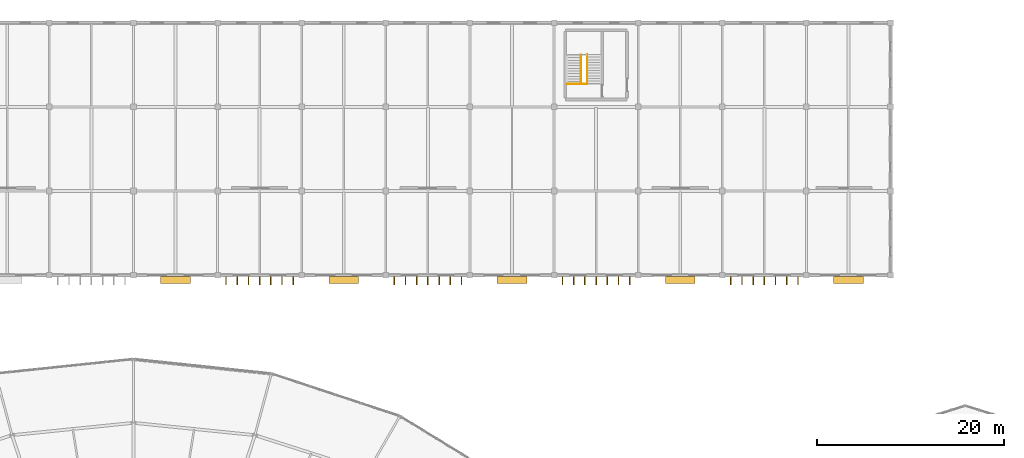
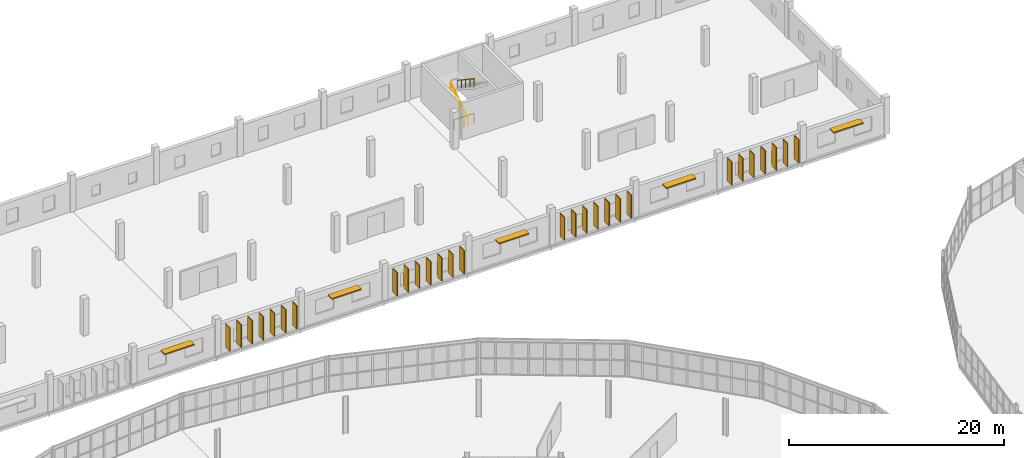
# One storey, part 160 of 161: 33 shading devices, 3 railings.
"""IFC4 building model written with IfcOpenShell, lengths in metres."""

import ifcopenshell
import ifcopenshell.guid

model = None  # the IFC model being written
_history = None  # IfcOwnerHistory: only IFC2X3 demands one
_inside = {}  # id of a spatial element -> (the spatial element, [elements in it])
_under = {}  # id of a project, library or spatial element -> (it, [spatial elements below it])
_declared = {}  # id of a project -> (the project, [libraries it declares])
_typed = {}  # id of a type object -> (the type object, [elements of that type])
_made_of = {}  # id of a material, layer set ... -> (it, [elements and type objects made of it])


def new_model(schema):
    """Start an empty IFC model of exactly this schema.

    Asked for "IFC4X3", IfcOpenShell would pick the latest addendum, in which some entities
    have other attributes; the version numbers below select the first issue.
    IFC2X3 requires an IfcOwnerHistory on every rooted entity: one is made here for all.
    """
    global model, _history
    if schema == "IFC4X3":
        model = ifcopenshell.file(schema_version=(4, 3, 0, 0))
    else:
        model = ifcopenshell.file(schema=schema)
    _inside.clear()
    _under.clear()
    _declared.clear()
    _typed.clear()
    _made_of.clear()
    _history = None
    if model.schema == "IFC2X3":
        org = make("IfcOrganization", Name="unknown")
        user = make(
            "IfcPersonAndOrganization",
            ThePerson=make("IfcPerson", FamilyName="unknown"),
            TheOrganization=org,
        )
        app = make(
            "IfcApplication",
            ApplicationDeveloper=org,
            Version="unknown",
            ApplicationFullName="unknown",
            ApplicationIdentifier="unknown",
        )
        _history = make(
            "IfcOwnerHistory",
            OwningUser=user,
            OwningApplication=app,
            ChangeAction="ADDED",
            CreationDate=0,
        )
    return model


def make(cls, **values):
    """One entity of the class cls with the attributes given. An attribute that is None is left unset."""
    return model.create_entity(
        cls, **{name: value for name, value in values.items() if value is not None}
    )


def rooted(cls, **values):
    """An entity with a GlobalId (a new one), such as an element, a storey or a relation."""
    return make(cls, GlobalId=ifcopenshell.guid.new(), OwnerHistory=_history, **values)


def si_unit(unit_type, name, prefix=None):
    """IfcSIUnit, for example si_unit("LENGTHUNIT", "METRE", prefix="MILLI")."""
    return make("IfcSIUnit", UnitType=unit_type, Prefix=prefix, Name=name)


def assignment(units):
    """IfcUnitAssignment: the units of a project."""
    return None if units is None else make("IfcUnitAssignment", Units=units)


def point(xyz):
    """IfcCartesianPoint."""
    return None if xyz is None else make("IfcCartesianPoint", Coordinates=xyz)


def direction(xyz):
    """IfcDirection."""
    return None if xyz is None else make("IfcDirection", DirectionRatios=xyz)


def frame(location, z_axis=None, x_axis=None):
    """IfcAxis2Placement3D, a coordinate frame: its origin and axes. An axis left out is left unset."""
    return make(
        "IfcAxis2Placement3D",
        Location=point(location),
        Axis=direction(z_axis),
        RefDirection=direction(x_axis),
    )


def frame_2d(location, x_axis=None):
    """IfcAxis2Placement2D, a coordinate frame in the plane: its origin and x axis."""
    return make(
        "IfcAxis2Placement2D", Location=point(location), RefDirection=direction(x_axis)
    )


def origin():
    """The frame at (0, 0, 0) with its axes left unset."""
    return frame((0.0, 0.0, 0.0))


def origin_2d():
    """The frame at (0, 0) in the plane with its x axis left unset."""
    return frame_2d((0.0, 0.0))


def place(relative_to, where):
    """IfcLocalPlacement: puts the frame where relative to a parent placement (None: the world)."""
    return make(
        "IfcLocalPlacement", PlacementRelTo=relative_to, RelativePlacement=where
    )


def context(
    kind, dimensions, precision=None, world=None, true_north=None, identifier=None
):
    """IfcGeometricRepresentationContext, for example the 3D "Model" context."""
    return make(
        "IfcGeometricRepresentationContext",
        ContextIdentifier=identifier,
        ContextType=kind,
        CoordinateSpaceDimension=dimensions,
        Precision=precision,
        WorldCoordinateSystem=world,
        TrueNorth=true_north,
    )


def subcontext(parent, identifier, kind, view, scale=None):
    """IfcGeometricRepresentationSubContext, for example "Body" below "Model"."""
    return make(
        "IfcGeometricRepresentationSubContext",
        ContextIdentifier=identifier,
        ContextType=kind,
        ParentContext=parent,
        TargetScale=scale,
        TargetView=view,
    )


def project(units=None, contexts=None):
    """IfcProject with its units and contexts."""
    return rooted(
        "IfcProject",
        Name="project",
        RepresentationContexts=contexts,
        UnitsInContext=assignment(units),
    )


def spatial(cls, under=None, at=None, **own):
    """A site, building, storey or space (cls), placed at a placement, below another one or the project."""
    s = rooted(cls, ObjectPlacement=at, **own)
    if under is not None:
        _under.setdefault(under.id(), (under, []))[1].append(s)
    return s


def profile(cls, at=None, kind="AREA", **sizes):
    """A parametric profile (cls). Its sizes go by their IFC names, for example OverallWidth=200.0."""
    return make(cls, ProfileType=kind, Position=at, **sizes)


def rectangle(**sizes):
    """IfcRectangleProfileDef."""
    return profile("IfcRectangleProfileDef", **sizes)


def circle(**sizes):
    """IfcCircleProfileDef."""
    return profile("IfcCircleProfileDef", **sizes)


def extrude(swept, where, along, depth):
    """IfcExtrudedAreaSolid: the profile swept, set in the frame where, extruded along a direction by depth."""
    return make(
        "IfcExtrudedAreaSolid",
        SweptArea=swept,
        Position=where,
        ExtrudedDirection=direction(along),
        Depth=depth,
    )


def shape(context_of_items, identifier, shape_type, items):
    """IfcShapeRepresentation: the items that make up one representation, for example the "Body"."""
    return make(
        "IfcShapeRepresentation",
        ContextOfItems=context_of_items,
        RepresentationIdentifier=identifier,
        RepresentationType=shape_type,
        Items=items,
    )


def material(Name=None, Category=None):
    """IfcMaterial."""
    return make("IfcMaterial", Name=Name, Category=Category)


def layer(
    of_material, thickness, ventilated=None, Name=None, Category=None, Priority=None
):
    """IfcMaterialLayer: one layer of a wall or slab, of a material (None: an air gap)."""
    return make(
        "IfcMaterialLayer",
        Material=of_material,
        LayerThickness=thickness,
        IsVentilated=ventilated,
        Name=Name,
        Category=Category,
        Priority=Priority,
    )


def layer_set(layers, Name=None):
    """IfcMaterialLayerSet."""
    return make("IfcMaterialLayerSet", MaterialLayers=layers, LayerSetName=Name)


def made_of(thing, what):
    """Note that an element or type object is made of a material, layer set ...; save() writes the relation."""
    if what is not None:
        _made_of.setdefault(what.id(), (what, []))[1].append(thing)
    return thing


def type_object(cls, material=None, **own):
    """A type object (cls), such as IfcWallType, which elements share."""
    return made_of(rooted(cls, **own), material)


def element(
    cls,
    number,
    at=None,
    inside=None,
    cuts=None,
    type_object=None,
    material=None,
    context=None,
    identifier="Body",
    shape_type=None,
    held_by="IfcProductDefinitionShape",
    body=None,
    shapes=None,
    **own,
):
    """One element of the class cls, such as IfcWall. Its Tag is "e" and its number.

    at: its placement. inside: the storey or other place that contains it. cuts: it is an
    opening in that element (IfcRelVoidsElement). A single representation is given by context,
    identifier, shape_type and body (its items); several are given by shapes. held_by: the class
    of the entity that holds the representations. save() writes the other relations.
    """
    e = rooted(cls, Tag="e%d" % number, ObjectPlacement=at, **own)
    if body is not None:
        shapes = [shape(context, identifier, shape_type, body)]
    if shapes is not None:
        e.Representation = make(held_by, Representations=shapes)
    if inside is not None:
        _inside.setdefault(inside.id(), (inside, []))[1].append(e)
    if cuts is not None:
        rooted(
            "IfcRelVoidsElement", RelatingBuildingElement=cuts, RelatedOpeningElement=e
        )
    if type_object is not None:
        _typed.setdefault(type_object.id(), (type_object, []))[1].append(e)
    return made_of(e, material)


def aggregate(whole, parts):
    """IfcRelAggregates: a whole, such as a stair, and the parts it consists of."""
    return rooted("IfcRelAggregates", RelatingObject=whole, RelatedObjects=parts)


def save(model, path):
    """Write the relations noted so far, then the file.

    IfcRelAggregates (storeys below a building ...), IfcRelContainedInSpatialStructure (elements
    in a storey), IfcRelDefinesByType, IfcRelAssociatesMaterial and IfcRelDeclares: one each for
    every whole, place, type object, material and project.
    """
    for whole, parts in _under.values():
        aggregate(whole, parts)
    for where, things in _inside.values():
        rooted(
            "IfcRelContainedInSpatialStructure",
            RelatedElements=things,
            RelatingStructure=where,
        )
    for kind, things in _typed.values():
        rooted("IfcRelDefinesByType", RelatedObjects=things, RelatingType=kind)
    for what, things in _made_of.values():
        rooted("IfcRelAssociatesMaterial", RelatedObjects=things, RelatingMaterial=what)
    for by, libraries in _declared.values():
        rooted("IfcRelDeclares", RelatingContext=by, RelatedDefinitions=libraries)
    model.write(path)


model = new_model("IFC4")

# Units and contexts
model_context = context("Model", 3, precision=1e-05, world=origin(), true_north=direction((0.0, 1.0)))
body_context = subcontext(model_context, "Body", "Model", "MODEL_VIEW")
ifc_project = project(units=[si_unit("LENGTHUNIT", "METRE"), si_unit("AREAUNIT", "SQUARE_METRE"), si_unit("VOLUMEUNIT", "CUBIC_METRE"), si_unit("PLANEANGLEUNIT", "RADIAN"), si_unit("MASSUNIT", "GRAM", prefix="KILO")], contexts=[model_context])

# Site, building, storey
site_placement = place(None, origin())
site = spatial("IfcSite", under=ifc_project, at=site_placement, CompositionType="ELEMENT")
building_placement = place(site_placement, origin())
building = spatial("IfcBuilding", under=site, at=building_placement, Name="Kildeholm Park Wholesale Market", CompositionType="ELEMENT")
storey_placement = place(building_placement, frame((0.0, 0.0, 5.39990234375)))
storey = spatial("IfcBuildingStorey", under=building, at=storey_placement, Name="L01", CompositionType="ELEMENT", Elevation=5.39990234375)

# Shading devices
ifc_material_1 = material(Name="Glazed ceramic and anodised aluminium brise-soleil", Category="aluminium")
ifc_layer = layer(ifc_material_1, 0.090087890625)
ifc_layer_set = layer_set([ifc_layer], Name="Glazed ceramic and anodised aluminium brise-soleil")
shading_device_type_1 = type_object("IfcShadingDeviceType", Name="Brise-soleil solar fin SH-FIN2 850x90", PredefinedType="USERDEFINED", material=ifc_layer_set)
for number, where, z_axis, x_axis, name in (
    (1, (108.89990234375, 143.425048828125, 0.60009765625), (0.0, 0.0, 1.0), (0.0, -1.0, 0.0), "Brise-soleil fin V4S-L01-09.1 SHD-0101"),
    (2, (110.10009765625, 143.425048828125, 0.60009765625), (0.0, 0.0, 1.0), (0.0, -1.0, 0.0), "Brise-soleil fin V4S-L01-09.2 SHD-0102"),
    (3, (111.300048828125, 143.425048828125, 0.60009765625), (0.0, 0.0, 1.0), (0.0, -1.0, 0.0), "Brise-soleil fin V4S-L01-09.3 SHD-0103"),
    (4, (112.5, 143.425048828125, 0.60009765625), (0.0, 0.0, 1.0), (0.0, -1.0, 0.0), "Brise-soleil fin V4S-L01-09.4 SHD-0104"),
    (5, (113.699951171875, 143.425048828125, 0.60009765625), (0.0, 0.0, 1.0), (0.0, -1.0, 0.0), "Brise-soleil fin V4S-L01-09.5 SHD-0105"),
    (6, (114.89990234375, 143.425048828125, 0.60009765625), (0.0, 0.0, 1.0), (0.0, -1.0, 0.0), "Brise-soleil fin V4S-L01-09.6 SHD-0106"),
    (7, (116.10009765625, 143.425048828125, 0.60009765625), (0.0, 0.0, 1.0), (0.0, -1.0, 0.0), "Brise-soleil fin V4S-L01-09.7 SHD-0107"),
    (8, (126.89990234375, 143.425048828125, 0.60009765625), (0.0, 0.0, 1.0), (0.0, -1.0, 0.0), "Brise-soleil fin V4S-L01-11.1 SHD-0109"),
    (9, (128.10009765625, 143.425048828125, 0.60009765625), (0.0, 0.0, 1.0), (0.0, -1.0, 0.0), "Brise-soleil fin V4S-L01-11.2 SHD-0110"),
    (10, (129.300048828125, 143.425048828125, 0.60009765625), (0.0, 0.0, 1.0), (0.0, -1.0, 0.0), "Brise-soleil fin V4S-L01-11.3 SHD-0111"),
    (11, (130.5, 143.425048828125, 0.60009765625), (0.0, 0.0, 1.0), (0.0, -1.0, 0.0), "Brise-soleil fin V4S-L01-11.4 SHD-0112"),
    (12, (131.699951171875, 143.425048828125, 0.60009765625), (0.0, 0.0, 1.0), (0.0, -1.0, 0.0), "Brise-soleil fin V4S-L01-11.5 SHD-0113"),
    (13, (132.89990234375, 143.425048828125, 0.60009765625), (0.0, 0.0, 1.0), (0.0, -1.0, 0.0), "Brise-soleil fin V4S-L01-11.6 SHD-0114"),
    (14, (134.10009765625, 143.425048828125, 0.60009765625), (0.0, 0.0, 1.0), (0.0, -1.0, 0.0), "Brise-soleil fin V4S-L01-11.7 SHD-0115"),
    (15, (144.89990234375, 143.425048828125, 0.60009765625), (0.0, 0.0, 1.0), (0.0, -1.0, 0.0), "Brise-soleil fin V4S-L01-13.1 SHD-0117"),
    (16, (146.10009765625, 143.425048828125, 0.60009765625), (0.0, 0.0, 1.0), (0.0, -1.0, 0.0), "Brise-soleil fin V4S-L01-13.2 SHD-0118"),
    (17, (147.300048828125, 143.425048828125, 0.60009765625), (0.0, 0.0, 1.0), (0.0, -1.0, 0.0), "Brise-soleil fin V4S-L01-13.3 SHD-0119"),
    (18, (148.5, 143.425048828125, 0.60009765625), (0.0, 0.0, 1.0), (0.0, -1.0, 0.0), "Brise-soleil fin V4S-L01-13.4 SHD-0120"),
    (19, (149.699951171875, 143.425048828125, 0.60009765625), (0.0, 0.0, 1.0), (0.0, -1.0, 0.0), "Brise-soleil fin V4S-L01-13.5 SHD-0121"),
    (20, (150.89990234375, 143.425048828125, 0.60009765625), (0.0, 0.0, 1.0), (0.0, -1.0, 0.0), "Brise-soleil fin V4S-L01-13.6 SHD-0122"),
    (21, (152.10009765625, 143.425048828125, 0.60009765625), (0.0, 0.0, 1.0), (0.0, -1.0, 0.0), "Brise-soleil fin V4S-L01-13.7 SHD-0123"),
    (22, (162.89990234375, 143.425048828125, 0.60009765625), (0.0, 0.0, 1.0), (0.0, -1.0, 0.0), "Brise-soleil fin V4S-L01-15.1 SHD-0125"),
    (23, (164.10009765625, 143.425048828125, 0.60009765625), (0.0, 0.0, 1.0), (0.0, -1.0, 0.0), "Brise-soleil fin V4S-L01-15.2 SHD-0126"),
    (24, (165.300048828125, 143.425048828125, 0.60009765625), (0.0, 0.0, 1.0), (0.0, -1.0, 0.0), "Brise-soleil fin V4S-L01-15.3 SHD-0127"),
    (25, (166.5, 143.425048828125, 0.60009765625), (0.0, 0.0, 1.0), (0.0, -1.0, 0.0), "Brise-soleil fin V4S-L01-15.4 SHD-0128"),
    (26, (167.699951171875, 143.425048828125, 0.60009765625), (0.0, 0.0, 1.0), (0.0, -1.0, 0.0), "Brise-soleil fin V4S-L01-15.5 SHD-0129"),
    (27, (168.89990234375, 143.425048828125, 0.60009765625), (0.0, 0.0, 1.0), (0.0, -1.0, 0.0), "Brise-soleil fin V4S-L01-15.6 SHD-0130"),
    (28, (170.10009765625, 143.425048828125, 0.60009765625), (0.0, 0.0, 1.0), (0.0, -1.0, 0.0), "Brise-soleil fin V4S-L01-15.7 SHD-0131"),
):
    element("IfcShadingDevice", number, at=place(storey_placement, frame(where, z_axis=z_axis, x_axis=x_axis)), inside=storey, type_object=shading_device_type_1, Name=name, ObjectType="SOLAR FIN", PredefinedType="USERDEFINED", context=body_context, shape_type="SweptSolid", body=[
        extrude(rectangle(XDim=0.85009765625, YDim=0.090087890625, at=origin_2d()), origin(), (0.0, 0.0, 1.0), 2.64990234375),
    ])
ifc_material_2 = material(Name="Anodised aluminium sunshade louvre", Category="aluminium")
shading_device_type_2 = type_object("IfcShadingDeviceType", Name="Horizontal sunshade louvre bank SH-LV1", PredefinedType="JALOUSIE", material=ifc_material_2)
for number, where, z_axis, x_axis, name in (
    (29, (103.5, 143.47509765625, 2.56005859375), (0.0, 0.0, 1.0), (1.0, 0.0, 0.0), "Sunshade louvre V4S-L01.8 SHD-0100"),
    (30, (121.5, 143.47509765625, 2.56005859375), (0.0, 0.0, 1.0), (1.0, 0.0, 0.0), "Sunshade louvre V4S-L01.10 SHD-0108"),
    (31, (139.5, 143.47509765625, 2.56005859375), (0.0, 0.0, 1.0), (1.0, 0.0, 0.0), "Sunshade louvre V4S-L01.12 SHD-0116"),
    (32, (157.5, 143.47509765625, 2.56005859375), (0.0, 0.0, 1.0), (1.0, 0.0, 0.0), "Sunshade louvre V4S-L01.14 SHD-0124"),
    (33, (175.5, 143.47509765625, 2.56005859375), (0.0, 0.0, 1.0), (1.0, 0.0, 0.0), "Sunshade louvre V4S-L01.16 SHD-0132"),
):
    element("IfcShadingDevice", number, at=place(storey_placement, frame(where, z_axis=z_axis, x_axis=x_axis)), inside=storey, type_object=shading_device_type_2, Name=name, PredefinedType="JALOUSIE", context=body_context, shape_type="SweptSolid", body=[
        extrude(rectangle(XDim=3.199951171875, YDim=0.75, at=origin_2d()), origin(), (0.0, 0.0, 1.0), 0.139892578125),
    ])

# Railings
ifc_material_3 = material(Name="Painted steel and laminated glass balustrade", Category="steel")
railing_type_1 = type_object("IfcRailingType", Name="Interior gallery and stairwell guard GR-IN1 1200 mm", PredefinedType="GUARDRAIL", material=ifc_material_3)
railing_1_placement = place(storey_placement, frame((145.360107421875, 164.429931640625, 0.0)))
element("IfcRailing", 34, at=railing_1_placement, inside=storey, type_object=railing_type_1, Name="Stair C03 upper floor well guard L01 RLG-0043", PredefinedType="GUARDRAIL", context=body_context, shape_type="SweptSolid", body=[
    extrude(circle(Radius=0.02392578125, at=origin_2d()), frame((0.0, 0.0, 1.17578125), z_axis=(1.0, 0.0, 0.0), x_axis=(0.0, 1.0, 0.0)), (0.0, 0.0, 1.0), 2.14990234375),
    extrude(circle(Radius=0.02099609375, at=origin_2d()), origin(), (0.0, 0.0, 1.0), 1.15185546875),
    extrude(circle(Radius=0.02099609375, at=origin_2d()), frame((1.074951171875, 0.0, 0.0)), (0.0, 0.0, 1.0), 1.15185546875),
    extrude(circle(Radius=0.02099609375, at=origin_2d()), frame((2.14990234375, 0.0, 0.0)), (0.0, 0.0, 1.0), 1.15185546875),
])
ifc_material_4 = material(Name="Stainless steel AISI 316 handrail", Category="steel")
railing_type_2 = type_object("IfcRailingType", Name="Stair flight handrail HR-IN1 900 mm", PredefinedType="HANDRAIL", material=ifc_material_4)
railing_2_placement = place(storey_placement, frame((146.860107421875, 164.419921875, 0.0)))
element("IfcRailing", 35, at=railing_2_placement, inside=storey, type_object=railing_type_2, Name="Stair C03 flight 1 handrail L01 RLG-0048", PredefinedType="HANDRAIL", context=body_context, shape_type="SweptSolid", body=[
    extrude(circle(Radius=0.02392578125, at=origin_2d()), frame((0.0, 0.0, 0.8759765625), z_axis=(0.0, 0.830813955726, 0.556550241192), x_axis=(-1.0, 0.0, 0.0)), (0.0, 0.0, 1.0), 3.7734375),
    extrude(circle(Radius=0.02099609375, at=origin_2d()), origin(), (0.0, 0.0, 1.0), 0.851806640625),
    extrude(circle(Radius=0.02099609375, at=origin_2d()), frame((0.0, 0.78369140625, 0.52490234375)), (0.0, 0.0, 1.0), 0.851806640625),
    extrude(circle(Radius=0.02099609375, at=origin_2d()), frame((0.0, 1.5673828125, 1.050048828125)), (0.0, 0.0, 1.0), 0.851806640625),
    extrude(circle(Radius=0.02099609375, at=origin_2d()), frame((0.0, 2.351318359375, 1.5751953125)), (0.0, 0.0, 1.0), 0.851806640625),
    extrude(circle(Radius=0.02099609375, at=origin_2d()), frame((0.0, 3.135009765625, 2.10009765625)), (0.0, 0.0, 1.0), 0.851806640625),
])
railing_3_placement = place(storey_placement, frame((147.550048828125, 167.614990234375, 2.10009765625)))
element("IfcRailing", 36, at=railing_3_placement, inside=storey, type_object=railing_type_2, Name="Stair C03 flight 2 handrail L01 RLG-0049", PredefinedType="HANDRAIL", context=body_context, shape_type="SweptSolid", body=[
    extrude(circle(Radius=0.02392578125, at=origin_2d()), frame((0.0, 0.0, 0.8759765625), z_axis=(0.0, -0.830813955726, 0.556550241192), x_axis=(1.0, 0.0, 0.0)), (0.0, 0.0, 1.0), 3.7734375),
    extrude(circle(Radius=0.02099609375, at=origin_2d()), origin(), (0.0, 0.0, 1.0), 0.851806640625),
    extrude(circle(Radius=0.02099609375, at=origin_2d()), frame((0.0, -0.78369140625, 0.52490234375)), (0.0, 0.0, 1.0), 0.851806640625),
    extrude(circle(Radius=0.02099609375, at=origin_2d()), frame((0.0, -1.5673828125, 1.050048828125)), (0.0, 0.0, 1.0), 0.851806640625),
    extrude(circle(Radius=0.02099609375, at=origin_2d()), frame((0.0, -2.351318359375, 1.5751953125)), (0.0, 0.0, 1.0), 0.851806640625),
    extrude(circle(Radius=0.02099609375, at=origin_2d()), frame((0.0, -3.135009765625, 2.10009765625)), (0.0, 0.0, 1.0), 0.851806640625),
])

save(model, "model.ifc")
